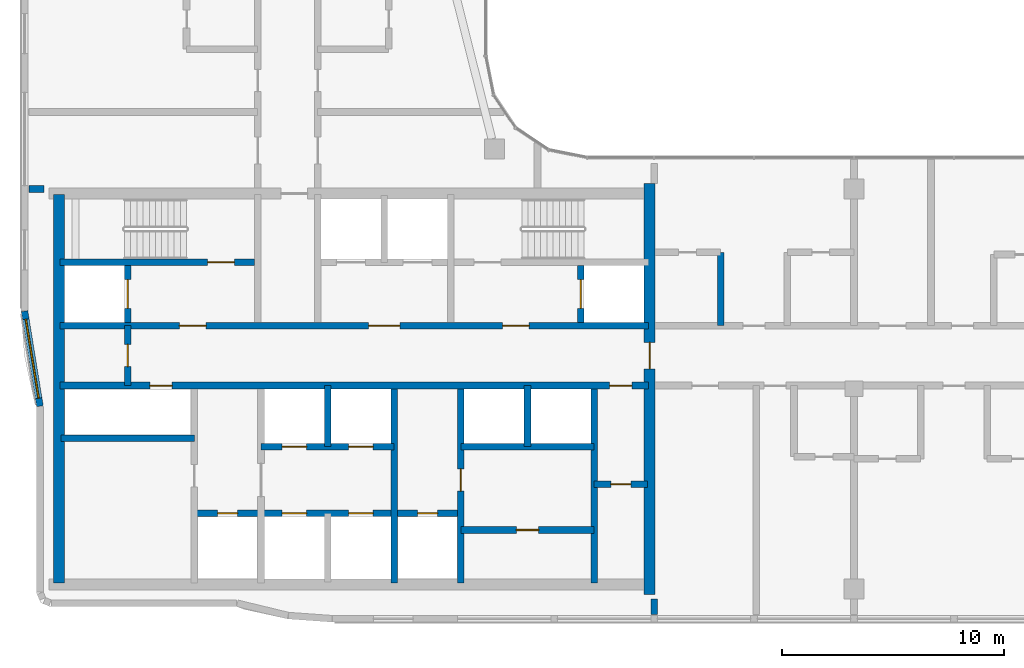
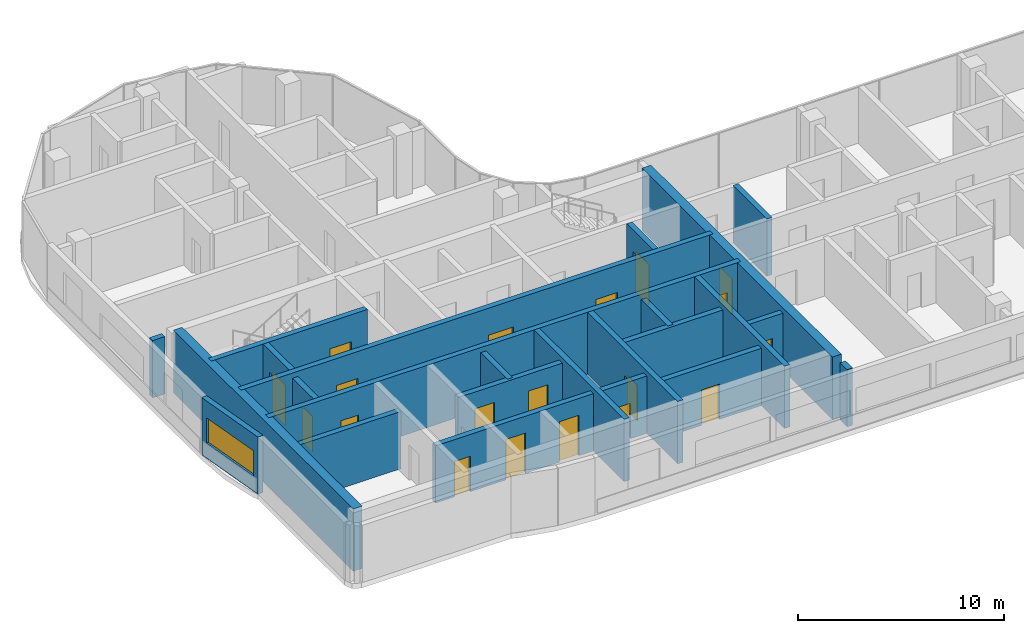
# One storey, part 9 of 19: 23 walls, 19 doors, 1 window, 20 openings.
"""IFC4 building model written with IfcOpenShell, lengths in metres."""

import ifcopenshell
import ifcopenshell.guid

model = None  # the IFC model being written
_history = None  # IfcOwnerHistory: only IFC2X3 demands one
_inside = {}  # id of a spatial element -> (the spatial element, [elements in it])
_under = {}  # id of a project, library or spatial element -> (it, [spatial elements below it])
_declared = {}  # id of a project -> (the project, [libraries it declares])
_typed = {}  # id of a type object -> (the type object, [elements of that type])
_made_of = {}  # id of a material, layer set ... -> (it, [elements and type objects made of it])


def new_model(schema):
    """Start an empty IFC model of exactly this schema.

    Asked for "IFC4X3", IfcOpenShell would pick the latest addendum, in which some entities
    have other attributes; the version numbers below select the first issue.
    IFC2X3 requires an IfcOwnerHistory on every rooted entity: one is made here for all.
    """
    global model, _history
    if schema == "IFC4X3":
        model = ifcopenshell.file(schema_version=(4, 3, 0, 0))
    else:
        model = ifcopenshell.file(schema=schema)
    _inside.clear()
    _under.clear()
    _declared.clear()
    _typed.clear()
    _made_of.clear()
    _history = None
    if model.schema == "IFC2X3":
        org = make("IfcOrganization", Name="unknown")
        user = make(
            "IfcPersonAndOrganization",
            ThePerson=make("IfcPerson", FamilyName="unknown"),
            TheOrganization=org,
        )
        app = make(
            "IfcApplication",
            ApplicationDeveloper=org,
            Version="unknown",
            ApplicationFullName="unknown",
            ApplicationIdentifier="unknown",
        )
        _history = make(
            "IfcOwnerHistory",
            OwningUser=user,
            OwningApplication=app,
            ChangeAction="ADDED",
            CreationDate=0,
        )
    return model


def make(cls, **values):
    """One entity of the class cls with the attributes given. An attribute that is None is left unset."""
    return model.create_entity(
        cls, **{name: value for name, value in values.items() if value is not None}
    )


def rooted(cls, **values):
    """An entity with a GlobalId (a new one), such as an element, a storey or a relation."""
    return make(cls, GlobalId=ifcopenshell.guid.new(), OwnerHistory=_history, **values)


def si_unit(unit_type, name, prefix=None):
    """IfcSIUnit, for example si_unit("LENGTHUNIT", "METRE", prefix="MILLI")."""
    return make("IfcSIUnit", UnitType=unit_type, Prefix=prefix, Name=name)


def assignment(units):
    """IfcUnitAssignment: the units of a project."""
    return None if units is None else make("IfcUnitAssignment", Units=units)


def point(xyz):
    """IfcCartesianPoint."""
    return None if xyz is None else make("IfcCartesianPoint", Coordinates=xyz)


def direction(xyz):
    """IfcDirection."""
    return None if xyz is None else make("IfcDirection", DirectionRatios=xyz)


def frame(location, z_axis=None, x_axis=None):
    """IfcAxis2Placement3D, a coordinate frame: its origin and axes. An axis left out is left unset."""
    return make(
        "IfcAxis2Placement3D",
        Location=point(location),
        Axis=direction(z_axis),
        RefDirection=direction(x_axis),
    )


def frame_2d(location, x_axis=None):
    """IfcAxis2Placement2D, a coordinate frame in the plane: its origin and x axis."""
    return make(
        "IfcAxis2Placement2D", Location=point(location), RefDirection=direction(x_axis)
    )


def origin():
    """The frame at (0, 0, 0) with its axes left unset."""
    return frame((0.0, 0.0, 0.0))


def place(relative_to, where):
    """IfcLocalPlacement: puts the frame where relative to a parent placement (None: the world)."""
    return make(
        "IfcLocalPlacement", PlacementRelTo=relative_to, RelativePlacement=where
    )


def context(
    kind, dimensions, precision=None, world=None, true_north=None, identifier=None
):
    """IfcGeometricRepresentationContext, for example the 3D "Model" context."""
    return make(
        "IfcGeometricRepresentationContext",
        ContextIdentifier=identifier,
        ContextType=kind,
        CoordinateSpaceDimension=dimensions,
        Precision=precision,
        WorldCoordinateSystem=world,
        TrueNorth=true_north,
    )


def subcontext(parent, identifier, kind, view, scale=None):
    """IfcGeometricRepresentationSubContext, for example "Body" below "Model"."""
    return make(
        "IfcGeometricRepresentationSubContext",
        ContextIdentifier=identifier,
        ContextType=kind,
        ParentContext=parent,
        TargetScale=scale,
        TargetView=view,
    )


def project(units=None, contexts=None):
    """IfcProject with its units and contexts."""
    return rooted(
        "IfcProject",
        Name="project",
        RepresentationContexts=contexts,
        UnitsInContext=assignment(units),
    )


def spatial(cls, under=None, at=None, **own):
    """A site, building, storey or space (cls), placed at a placement, below another one or the project."""
    s = rooted(cls, ObjectPlacement=at, **own)
    if under is not None:
        _under.setdefault(under.id(), (under, []))[1].append(s)
    return s


def profile(cls, at=None, kind="AREA", **sizes):
    """A parametric profile (cls). Its sizes go by their IFC names, for example OverallWidth=200.0."""
    return make(cls, ProfileType=kind, Position=at, **sizes)


def rectangle(**sizes):
    """IfcRectangleProfileDef."""
    return profile("IfcRectangleProfileDef", **sizes)


def extrude(swept, where, along, depth):
    """IfcExtrudedAreaSolid: the profile swept, set in the frame where, extruded along a direction by depth."""
    return make(
        "IfcExtrudedAreaSolid",
        SweptArea=swept,
        Position=where,
        ExtrudedDirection=direction(along),
        Depth=depth,
    )


def shape(context_of_items, identifier, shape_type, items):
    """IfcShapeRepresentation: the items that make up one representation, for example the "Body"."""
    return make(
        "IfcShapeRepresentation",
        ContextOfItems=context_of_items,
        RepresentationIdentifier=identifier,
        RepresentationType=shape_type,
        Items=items,
    )


def material(Name=None, Category=None):
    """IfcMaterial."""
    return make("IfcMaterial", Name=Name, Category=Category)


def layer(
    of_material, thickness, ventilated=None, Name=None, Category=None, Priority=None
):
    """IfcMaterialLayer: one layer of a wall or slab, of a material (None: an air gap)."""
    return make(
        "IfcMaterialLayer",
        Material=of_material,
        LayerThickness=thickness,
        IsVentilated=ventilated,
        Name=Name,
        Category=Category,
        Priority=Priority,
    )


def layer_set(layers, Name=None):
    """IfcMaterialLayerSet."""
    return make("IfcMaterialLayerSet", MaterialLayers=layers, LayerSetName=Name)


def made_of(thing, what):
    """Note that an element or type object is made of a material, layer set ...; save() writes the relation."""
    if what is not None:
        _made_of.setdefault(what.id(), (what, []))[1].append(thing)
    return thing


def type_object(cls, material=None, **own):
    """A type object (cls), such as IfcWallType, which elements share."""
    return made_of(rooted(cls, **own), material)


def element(
    cls,
    number,
    at=None,
    inside=None,
    cuts=None,
    type_object=None,
    material=None,
    context=None,
    identifier="Body",
    shape_type=None,
    held_by="IfcProductDefinitionShape",
    body=None,
    shapes=None,
    **own,
):
    """One element of the class cls, such as IfcWall. Its Tag is "e" and its number.

    at: its placement. inside: the storey or other place that contains it. cuts: it is an
    opening in that element (IfcRelVoidsElement). A single representation is given by context,
    identifier, shape_type and body (its items); several are given by shapes. held_by: the class
    of the entity that holds the representations. save() writes the other relations.
    """
    e = rooted(cls, Tag="e%d" % number, ObjectPlacement=at, **own)
    if body is not None:
        shapes = [shape(context, identifier, shape_type, body)]
    if shapes is not None:
        e.Representation = make(held_by, Representations=shapes)
    if inside is not None:
        _inside.setdefault(inside.id(), (inside, []))[1].append(e)
    if cuts is not None:
        rooted(
            "IfcRelVoidsElement", RelatingBuildingElement=cuts, RelatedOpeningElement=e
        )
    if type_object is not None:
        _typed.setdefault(type_object.id(), (type_object, []))[1].append(e)
    return made_of(e, material)


def fill(opening, filler):
    """IfcRelFillsElement: the door or window that sits in an opening."""
    return rooted(
        "IfcRelFillsElement",
        RelatingOpeningElement=opening,
        RelatedBuildingElement=filler,
    )


def aggregate(whole, parts):
    """IfcRelAggregates: a whole, such as a stair, and the parts it consists of."""
    return rooted("IfcRelAggregates", RelatingObject=whole, RelatedObjects=parts)


def save(model, path):
    """Write the relations noted so far, then the file.

    IfcRelAggregates (storeys below a building ...), IfcRelContainedInSpatialStructure (elements
    in a storey), IfcRelDefinesByType, IfcRelAssociatesMaterial and IfcRelDeclares: one each for
    every whole, place, type object, material and project.
    """
    for whole, parts in _under.values():
        aggregate(whole, parts)
    for where, things in _inside.values():
        rooted(
            "IfcRelContainedInSpatialStructure",
            RelatedElements=things,
            RelatingStructure=where,
        )
    for kind, things in _typed.values():
        rooted("IfcRelDefinesByType", RelatedObjects=things, RelatingType=kind)
    for what, things in _made_of.values():
        rooted("IfcRelAssociatesMaterial", RelatedObjects=things, RelatingMaterial=what)
    for by, libraries in _declared.values():
        rooted("IfcRelDeclares", RelatingContext=by, RelatedDefinitions=libraries)
    model.write(path)


model = new_model("IFC4")

# Units and contexts
model_context = context("Model", 3, precision=1e-05, world=origin(), true_north=direction((0.0, 1.0)))
body_context = subcontext(model_context, "Body", "Model", "MODEL_VIEW")
ifc_project = project(units=[si_unit("LENGTHUNIT", "METRE"), si_unit("AREAUNIT", "SQUARE_METRE"), si_unit("VOLUMEUNIT", "CUBIC_METRE"), si_unit("PLANEANGLEUNIT", "RADIAN"), si_unit("MASSUNIT", "GRAM", prefix="KILO")], contexts=[model_context])

# Site, building, storey
site_placement = place(None, origin())
site = spatial("IfcSite", under=ifc_project, at=site_placement, CompositionType="ELEMENT")
building_placement = place(site_placement, origin())
building = spatial("IfcBuilding", under=site, at=building_placement, Name="Ogive Portal Towers", CompositionType="ELEMENT")
storey_placement = place(building_placement, frame((0.0, 0.0, 229.10009765625)))
storey = spatial("IfcBuildingStorey", under=building, at=storey_placement, Name="L57", CompositionType="ELEMENT", Elevation=229.10009765625)

# Wall
ifc_material_1 = material(Name="Concrete C60/75", Category="concrete")
ifc_layer_1 = layer(ifc_material_1, 0.300048828125)
ifc_layer_set_1 = layer_set([ifc_layer_1], Name="CORE WALL 300 C60")
wall_type_1 = type_object("IfcWallType", Name="CORE WALL 300 C60", PredefinedType="SHEAR", material=ifc_layer_set_1)
wall_1_placement = place(storey_placement, frame((46.800048828125, 21.75, 0.0), z_axis=(0.0, 0.0, 1.0), x_axis=(0.0, 1.0, 0.0)))
element("IfcWall", 1, at=wall_1_placement, inside=storey, type_object=wall_type_1, Name="Core wall X3 L57", PredefinedType="SHEAR", context=body_context, shape_type="SweptSolid", body=[
    extrude(rectangle(XDim=8.75, YDim=0.300048828125, at=frame_2d((4.375, 0.0))), origin(), (0.0, 0.0, 1.0), 3.699951171875),
])

# Wall, opening, door
wall_2_placement = place(storey_placement, frame((49.800048828125, 21.75, 0.0), z_axis=(0.0, 0.0, 1.0), x_axis=(0.0, 1.0, 0.0)))
wall_2 = element("IfcWall", 2, at=wall_2_placement, inside=storey, type_object=wall_type_1, Name="Core wall X4 L57", PredefinedType="SHEAR", context=body_context, shape_type="SweptSolid", body=[
    extrude(rectangle(XDim=8.75, YDim=0.300048828125, at=frame_2d((4.375, 0.0))), origin(), (0.0, 0.0, 1.0), 3.699951171875),
])
opening_1_placement = place(wall_2_placement, frame((4.14990234375, 0.0, 0.0)))
opening_1 = element("IfcOpeningElement", 3, at=opening_1_placement, cuts=wall_2, Name="Opening D25-023", PredefinedType="OPENING", context=body_context, shape_type="SweptSolid", body=[
    extrude(rectangle(XDim=1.0, YDim=2.10009765625, at=frame_2d((0.5, 1.050048828125))), frame((0.0, 0.16015625, 0.0), z_axis=(0.0, -1.0, 0.0), x_axis=(1.0, 0.0, 0.0)), (0.0, 0.0, 1.0), 0.320068359375),
])
ifc_material_2 = material(Name="Steel fire door", Category="steel")
door_type_1 = type_object("IfcDoorType", Name="DT-SWING-1000x2100-FD90S", OperationType="SINGLE_SWING_LEFT", PredefinedType="DOOR", material=ifc_material_2)
door_1_placement = place(opening_1_placement, origin())
door_1 = element("IfcDoor", 4, at=door_1_placement, inside=storey, type_object=door_type_1, Name="Door D25-023", OperationType="SINGLE_SWING_LEFT", OverallHeight=2.10009765625, OverallWidth=1.0, PredefinedType="DOOR", context=body_context, shape_type="SweptSolid", body=[
    extrude(rectangle(XDim=1.0, YDim=2.10009765625, at=frame_2d((0.5, 1.050048828125))), frame((0.0, 0.02490234375, 0.0), z_axis=(0.0, -1.0, 0.0), x_axis=(1.0, 0.0, 0.0)), (0.0, 0.0, 1.0), 0.050048828125),
])
fill(opening_1, door_1)

# Wall
wall_3_placement = place(storey_placement, frame((55.800048828125, 21.75, 0.0), z_axis=(0.0, 0.0, 1.0), x_axis=(0.0, 1.0, 0.0)))
element("IfcWall", 5, at=wall_3_placement, inside=storey, type_object=wall_type_1, Name="Core wall X5 L57", PredefinedType="SHEAR", context=body_context, shape_type="SweptSolid", body=[
    extrude(rectangle(XDim=8.75, YDim=0.300048828125, at=frame_2d((4.375, 0.0))), origin(), (0.0, 0.0, 1.0), 3.699951171875),
])

# Wall, openings, doors
wall_4_placement = place(storey_placement, frame((31.75, 30.64990234375, 0.0), z_axis=(0.0, 0.0, 1.0), x_axis=(1.0, 0.0, 0.0)))
wall_4 = element("IfcWall", 6, at=wall_4_placement, inside=storey, type_object=wall_type_1, Name="Core wall Y1 L57", PredefinedType="SHEAR", context=body_context, shape_type="SweptSolid", body=[
    extrude(rectangle(XDim=26.5, YDim=0.300048828125, at=frame_2d((13.25, 0.0))), origin(), (0.0, 0.0, 1.0), 3.699951171875),
])
opening_2_placement = place(wall_4_placement, frame((24.75, 0.0, 0.0)))
opening_2 = element("IfcOpeningElement", 7, at=opening_2_placement, cuts=wall_4, Name="Opening D25-009", PredefinedType="OPENING", context=body_context, shape_type="SweptSolid", body=[
    extrude(rectangle(XDim=1.0, YDim=2.10009765625, at=frame_2d((0.5, 1.050048828125))), frame((0.0, 0.16015625, 0.0), z_axis=(0.0, -1.0, 0.0), x_axis=(1.0, 0.0, 0.0)), (0.0, 0.0, 1.0), 0.320068359375),
])
opening_3_placement = place(wall_4_placement, frame((4.050048828125, 0.0, 0.0)))
opening_3 = element("IfcOpeningElement", 8, at=opening_3_placement, cuts=wall_4, Name="Opening D25-021", PredefinedType="OPENING", context=body_context, shape_type="SweptSolid", body=[
    extrude(rectangle(XDim=1.0, YDim=2.10009765625, at=frame_2d((0.5, 1.050048828125))), frame((0.0, 0.16015625, 0.0), z_axis=(0.0, -1.0, 0.0), x_axis=(1.0, 0.0, 0.0)), (0.0, 0.0, 1.0), 0.320068359375),
])
door_2_placement = place(opening_2_placement, origin())
door_2 = element("IfcDoor", 9, at=door_2_placement, inside=storey, type_object=door_type_1, Name="Door D25-009", OperationType="SINGLE_SWING_LEFT", OverallHeight=2.10009765625, OverallWidth=1.0, PredefinedType="DOOR", context=body_context, shape_type="SweptSolid", body=[
    extrude(rectangle(XDim=1.0, YDim=2.10009765625, at=frame_2d((0.5, 1.050048828125))), frame((0.0, 0.02490234375, 0.0), z_axis=(0.0, -1.0, 0.0), x_axis=(1.0, 0.0, 0.0)), (0.0, 0.0, 1.0), 0.050048828125),
])
fill(opening_2, door_2)
door_3_placement = place(opening_3_placement, origin())
door_3 = element("IfcDoor", 10, at=door_3_placement, inside=storey, type_object=door_type_1, Name="Riser access door D25-021", OperationType="SINGLE_SWING_LEFT", OverallHeight=2.10009765625, OverallWidth=1.0, PredefinedType="DOOR", context=body_context, shape_type="SweptSolid", body=[
    extrude(rectangle(XDim=1.0, YDim=2.10009765625, at=frame_2d((0.5, 1.050048828125))), frame((0.0, 0.02490234375, 0.0), z_axis=(0.0, -1.0, 0.0), x_axis=(1.0, 0.0, 0.0)), (0.0, 0.0, 1.0), 0.050048828125),
])
fill(opening_3, door_3)

wall_5_placement = place(storey_placement, frame((31.75, 33.35009765625, 0.0), z_axis=(0.0, 0.0, 1.0), x_axis=(1.0, 0.0, 0.0)))
wall_5 = element("IfcWall", 11, at=wall_5_placement, inside=storey, type_object=wall_type_1, Name="Core wall Y2 L57", PredefinedType="SHEAR", context=body_context, shape_type="SweptSolid", body=[
    extrude(rectangle(XDim=26.5, YDim=0.300048828125, at=frame_2d((13.25, 0.0))), origin(), (0.0, 0.0, 1.0), 3.699951171875),
])
opening_4_placement = place(wall_5_placement, frame((13.89990234375, 0.0, 0.0)))
opening_4 = element("IfcOpeningElement", 12, at=opening_4_placement, cuts=wall_5, Name="Opening D25-002", PredefinedType="OPENING", context=body_context, shape_type="SweptSolid", body=[
    extrude(rectangle(XDim=1.39990234375, YDim=2.10009765625, at=frame_2d((0.699951171875, 1.050048828125))), frame((0.0, 0.16015625, 0.0), z_axis=(0.0, -1.0, 0.0), x_axis=(1.0, 0.0, 0.0)), (0.0, 0.0, 1.0), 0.320068359375),
])
opening_5_placement = place(wall_5_placement, frame((5.375, 0.0, 0.0)))
opening_5 = element("IfcOpeningElement", 13, at=opening_5_placement, cuts=wall_5, Name="Opening D25-003", PredefinedType="OPENING", context=body_context, shape_type="SweptSolid", body=[
    extrude(rectangle(XDim=1.199951171875, YDim=2.10009765625, at=frame_2d((0.60009765625, 1.050048828125))), frame((0.0, 0.16015625, 0.0), z_axis=(0.0, -1.0, 0.0), x_axis=(1.0, 0.0, 0.0)), (0.0, 0.0, 1.0), 0.320068359375),
])
opening_6_placement = place(wall_5_placement, frame((19.925048828125, 0.0, 0.0)))
opening_6 = element("IfcOpeningElement", 14, at=opening_6_placement, cuts=wall_5, Name="Opening D25-004", PredefinedType="OPENING", context=body_context, shape_type="SweptSolid", body=[
    extrude(rectangle(XDim=1.199951171875, YDim=2.10009765625, at=frame_2d((0.60009765625, 1.050048828125))), frame((0.0, 0.16015625, 0.0), z_axis=(0.0, -1.0, 0.0), x_axis=(1.0, 0.0, 0.0)), (0.0, 0.0, 1.0), 0.320068359375),
])
door_type_2 = type_object("IfcDoorType", Name="DT-SWING-1200x2100-FD90S", OperationType="SINGLE_SWING_LEFT", PredefinedType="DOOR", material=ifc_material_2)
door_4_placement = place(opening_5_placement, origin())
door_4 = element("IfcDoor", 15, at=door_4_placement, inside=storey, type_object=door_type_2, Name="Door D25-003", OperationType="SINGLE_SWING_LEFT", OverallHeight=2.10009765625, OverallWidth=1.199951171875, PredefinedType="DOOR", context=body_context, shape_type="SweptSolid", body=[
    extrude(rectangle(XDim=1.199951171875, YDim=2.10009765625, at=frame_2d((0.60009765625, 1.050048828125))), frame((0.0, 0.02490234375, 0.0), z_axis=(0.0, -1.0, 0.0), x_axis=(1.0, 0.0, 0.0)), (0.0, 0.0, 1.0), 0.050048828125),
])
fill(opening_5, door_4)
door_5_placement = place(opening_6_placement, origin())
door_5 = element("IfcDoor", 16, at=door_5_placement, inside=storey, type_object=door_type_2, Name="Door D25-004", OperationType="SINGLE_SWING_RIGHT", OverallHeight=2.10009765625, OverallWidth=1.199951171875, PredefinedType="DOOR", context=body_context, shape_type="SweptSolid", body=[
    extrude(rectangle(XDim=1.199951171875, YDim=2.10009765625, at=frame_2d((0.60009765625, 1.050048828125))), frame((0.0, 0.02490234375, 0.0), z_axis=(0.0, -1.0, 0.0), x_axis=(1.0, 0.0, 0.0)), (0.0, 0.0, 1.0), 0.050048828125),
])
fill(opening_6, door_5)
door_type_3 = type_object("IfcDoorType", Name="DT-SWING-1400x2100-FD90S", OperationType="SINGLE_SWING_LEFT", PredefinedType="DOOR", material=ifc_material_2)
door_6_placement = place(opening_4_placement, origin())
door_6 = element("IfcDoor", 17, at=door_6_placement, inside=storey, type_object=door_type_3, Name="Door D25-002", OperationType="SINGLE_SWING_RIGHT", OverallHeight=2.10009765625, OverallWidth=1.39990234375, PredefinedType="DOOR", context=body_context, shape_type="SweptSolid", body=[
    extrude(rectangle(XDim=1.39990234375, YDim=2.10009765625, at=frame_2d((0.699951171875, 1.050048828125))), frame((0.0, 0.02490234375, 0.0), z_axis=(0.0, -1.0, 0.0), x_axis=(1.0, 0.0, 0.0)), (0.0, 0.0, 1.0), 0.050048828125),
])
fill(opening_4, door_6)

# Wall, opening, door
wall_6_placement = place(storey_placement, frame((31.75, 36.199951171875, 0.0), z_axis=(0.0, 0.0, 1.0), x_axis=(1.0, 0.0, 0.0)))
wall_6 = element("IfcWall", 18, at=wall_6_placement, inside=storey, type_object=wall_type_1, Name="Core wall Y3a L57", PredefinedType="SHEAR", context=body_context, shape_type="SweptSolid", body=[
    extrude(rectangle(XDim=8.75, YDim=0.300048828125, at=frame_2d((4.375, 0.0))), origin(), (0.0, 0.0, 1.0), 3.699951171875),
])
opening_7_placement = place(wall_6_placement, frame((6.64990234375, 0.0, 0.0)))
opening_7 = element("IfcOpeningElement", 19, at=opening_7_placement, cuts=wall_6, Name="Opening D25-005", PredefinedType="OPENING", context=body_context, shape_type="SweptSolid", body=[
    extrude(rectangle(XDim=1.199951171875, YDim=2.10009765625, at=frame_2d((0.60009765625, 1.050048828125))), frame((0.0, 0.16015625, 0.0), z_axis=(0.0, -1.0, 0.0), x_axis=(1.0, 0.0, 0.0)), (0.0, 0.0, 1.0), 0.320068359375),
])
door_7_placement = place(opening_7_placement, origin())
door_7 = element("IfcDoor", 20, at=door_7_placement, inside=storey, type_object=door_type_2, Name="Door D25-005", OperationType="SINGLE_SWING_RIGHT", OverallHeight=2.10009765625, OverallWidth=1.199951171875, PredefinedType="DOOR", context=body_context, shape_type="SweptSolid", body=[
    extrude(rectangle(XDim=1.199951171875, YDim=2.10009765625, at=frame_2d((0.60009765625, 1.050048828125))), frame((0.0, 0.02490234375, 0.0), z_axis=(0.0, -1.0, 0.0), x_axis=(1.0, 0.0, 0.0)), (0.0, 0.0, 1.0), 0.050048828125),
])
fill(opening_7, door_7)

wall_7_placement = place(storey_placement, frame((34.800048828125, 33.5, 0.0), z_axis=(0.0, 0.0, 1.0), x_axis=(0.0, 1.0, 0.0)))
wall_7 = element("IfcWall", 21, at=wall_7_placement, inside=storey, type_object=wall_type_1, Name="Core wall X8 L57", PredefinedType="SHEAR", context=body_context, shape_type="SweptSolid", body=[
    extrude(rectangle(XDim=2.550048828125, YDim=0.300048828125, at=frame_2d((1.27490234375, 0.0))), origin(), (0.0, 0.0, 1.0), 3.699951171875),
])
opening_8_placement = place(wall_7_placement, frame((0.625, 0.0, 0.0)))
opening_8 = element("IfcOpeningElement", 22, at=opening_8_placement, cuts=wall_7, Name="Opening D25-019", PredefinedType="OPENING", context=body_context, shape_type="SweptSolid", body=[
    extrude(rectangle(XDim=1.300048828125, YDim=2.39990234375, at=frame_2d((0.64990234375, 1.199951171875))), frame((0.0, 0.16015625, 0.0), z_axis=(0.0, -1.0, 0.0), x_axis=(1.0, 0.0, 0.0)), (0.0, 0.0, 1.0), 0.320068359375),
])
ifc_material_3 = material(Name="Stainless steel", Category="steel")
door_type_4 = type_object("IfcDoorType", Name="DT-LD-1300x2400", OperationType="SLIDING_TO_LEFT", PredefinedType="DOOR", material=ifc_material_3)
door_8_placement = place(opening_8_placement, origin())
door_8 = element("IfcDoor", 23, at=door_8_placement, inside=storey, type_object=door_type_4, Name="Door D25-019", OperationType="SLIDING_TO_LEFT", OverallHeight=2.39990234375, OverallWidth=1.300048828125, PredefinedType="DOOR", context=body_context, shape_type="SweptSolid", body=[
    extrude(rectangle(XDim=1.300048828125, YDim=2.39990234375, at=frame_2d((0.64990234375, 1.199951171875))), frame((0.0, 0.02490234375, 0.0), z_axis=(0.0, -1.0, 0.0), x_axis=(1.0, 0.0, 0.0)), (0.0, 0.0, 1.0), 0.050048828125),
])
fill(opening_8, door_8)

wall_8_placement = place(storey_placement, frame((55.199951171875, 33.5, 0.0), z_axis=(0.0, 0.0, 1.0), x_axis=(0.0, 1.0, 0.0)))
wall_8 = element("IfcWall", 24, at=wall_8_placement, inside=storey, type_object=wall_type_1, Name="Core wall X10 L57", PredefinedType="SHEAR", context=body_context, shape_type="SweptSolid", body=[
    extrude(rectangle(XDim=2.550048828125, YDim=0.300048828125, at=frame_2d((1.27490234375, 0.0))), origin(), (0.0, 0.0, 1.0), 3.699951171875),
])
opening_9_placement = place(wall_8_placement, frame((0.625, 0.0, 0.0)))
opening_9 = element("IfcOpeningElement", 25, at=opening_9_placement, cuts=wall_8, Name="Opening D25-020", PredefinedType="OPENING", context=body_context, shape_type="SweptSolid", body=[
    extrude(rectangle(XDim=1.300048828125, YDim=2.39990234375, at=frame_2d((0.64990234375, 1.199951171875))), frame((0.0, 0.16015625, 0.0), z_axis=(0.0, -1.0, 0.0), x_axis=(1.0, 0.0, 0.0)), (0.0, 0.0, 1.0), 0.320068359375),
])
door_9_placement = place(opening_9_placement, origin())
door_9 = element("IfcDoor", 26, at=door_9_placement, inside=storey, type_object=door_type_4, Name="Door D25-020", OperationType="SLIDING_TO_LEFT", OverallHeight=2.39990234375, OverallWidth=1.300048828125, PredefinedType="DOOR", context=body_context, shape_type="SweptSolid", body=[
    extrude(rectangle(XDim=1.300048828125, YDim=2.39990234375, at=frame_2d((0.64990234375, 1.199951171875))), frame((0.0, 0.02490234375, 0.0), z_axis=(0.0, -1.0, 0.0), x_axis=(1.0, 0.0, 0.0)), (0.0, 0.0, 1.0), 0.050048828125),
])
fill(opening_9, door_9)

# Wall
ifc_layer_2 = layer(ifc_material_1, 0.5)
ifc_layer_set_2 = layer_set([ifc_layer_2], Name="CORE WALL 500 C60")
wall_type_2 = type_object("IfcWallType", Name="CORE WALL 500 C60", PredefinedType="SHEAR", material=ifc_layer_set_2)
wall_9_placement = place(storey_placement, frame((31.699951171875, 21.75, 0.0), z_axis=(0.0, 0.0, 1.0), x_axis=(0.0, 1.0, 0.0)))
element("IfcWall", 27, at=wall_9_placement, inside=storey, type_object=wall_type_2, Name="Core wall W L57", PredefinedType="SHEAR", context=body_context, shape_type="SweptSolid", body=[
    extrude(rectangle(XDim=17.5, YDim=0.5, at=frame_2d((8.75, 0.0))), origin(), (0.0, 0.0, 1.0), 3.699951171875),
])

# Wall, opening, door
wall_10_placement = place(storey_placement, frame((58.300048828125, 21.25, 0.0), z_axis=(0.0, 0.0, 1.0), x_axis=(0.0, 1.0, 0.0)))
wall_10 = element("IfcWall", 28, at=wall_10_placement, inside=storey, type_object=wall_type_2, Name="Core wall E L57", PredefinedType="SHEAR", context=body_context, shape_type="SweptSolid", body=[
    extrude(rectangle(XDim=18.5, YDim=0.5, at=frame_2d((9.25, 0.0))), origin(), (0.0, 0.0, 1.0), 3.699951171875),
])
opening_10_placement = place(wall_10_placement, frame((10.14990234375, 0.0, 0.0)))
opening_10 = element("IfcOpeningElement", 29, at=opening_10_placement, cuts=wall_10, Name="Opening D25-011", PredefinedType="OPENING", context=body_context, shape_type="SweptSolid", body=[
    extrude(rectangle(XDim=1.199951171875, YDim=2.10009765625, at=frame_2d((0.60009765625, 1.050048828125))), frame((0.0, 0.260009765625, 0.0), z_axis=(0.0, -1.0, 0.0), x_axis=(1.0, 0.0, 0.0)), (0.0, 0.0, 1.0), 0.52001953125),
])
door_10_placement = place(opening_10_placement, origin())
door_10 = element("IfcDoor", 30, at=door_10_placement, inside=storey, type_object=door_type_2, Name="Door D25-011", OperationType="SINGLE_SWING_LEFT", OverallHeight=2.10009765625, OverallWidth=1.199951171875, PredefinedType="DOOR", context=body_context, shape_type="SweptSolid", body=[
    extrude(rectangle(XDim=1.199951171875, YDim=2.10009765625, at=frame_2d((0.60009765625, 1.050048828125))), frame((0.0, 0.02490234375, 0.0), z_axis=(0.0, -1.0, 0.0), x_axis=(1.0, 0.0, 0.0)), (0.0, 0.0, 1.0), 0.050048828125),
])
fill(opening_10, door_10)

# Wall, opening, window
ifc_material_4 = material(Name="Limestone cladding on lightweight block wall", Category="masonry")
ifc_layer_3 = layer(ifc_material_4, 0.300048828125)
ifc_layer_set_3 = layer_set([ifc_layer_3], Name="EXTERNAL WALL 300 STONE")
wall_type_3 = type_object("IfcWallType", Name="EXTERNAL WALL 300 STONE", PredefinedType="SOLIDWALL", material=ifc_layer_set_3)
wall_11_placement = place(storey_placement, frame((30.15185546875, 34.000244140625, 0.0), z_axis=(0.0, 0.0, 1.0), x_axis=(0.160697303067, -0.987003736967, 0.0)))
wall_11 = element("IfcWall", 31, at=wall_11_placement, inside=storey, type_object=wall_type_3, Name="A:L57:f25:r0:wall", PredefinedType="SOLIDWALL", context=body_context, shape_type="SweptSolid", body=[
    extrude(rectangle(XDim=4.3330078125, YDim=0.300048828125, at=frame_2d((2.16650390625, 0.0))), origin(), (0.0, 0.0, 1.0), 3.39990234375),
])
opening_11_placement = place(wall_11_placement, frame((0.366455078125, 0.0, 0.89990234375)))
opening_11 = element("IfcOpeningElement", 32, at=opening_11_placement, cuts=wall_11, Name="Opening WN12", PredefinedType="OPENING", context=body_context, shape_type="SweptSolid", body=[
    extrude(rectangle(XDim=3.60009765625, YDim=1.5, at=frame_2d((1.800048828125, 0.75))), frame((0.0, 0.16015625, 0.0), z_axis=(0.0, -1.0, 0.0), x_axis=(1.0, 0.0, 0.0)), (0.0, 0.0, 1.0), 0.320068359375),
])
ifc_material_5 = material(Name="Glass, clear low-iron insulated glazing", Category="glass")
window_type = type_object("IfcWindowType", Name="WINDOW RIBBON 3600x1500", PartitioningType="TRIPLE_PANEL_VERTICAL", PredefinedType="WINDOW", material=ifc_material_5)
window_placement = place(opening_11_placement, origin())
window = element("IfcWindow", 33, at=window_placement, inside=storey, type_object=window_type, Name="A:L57:f25:r0:w0", OverallHeight=1.5, OverallWidth=3.60009765625, PartitioningType="SINGLE_PANEL", PredefinedType="WINDOW", context=body_context, shape_type="SweptSolid", body=[
    extrude(rectangle(XDim=3.60009765625, YDim=1.5, at=frame_2d((1.800048828125, 0.75))), frame((0.0, 0.030029296875, 0.0), z_axis=(0.0, -1.0, 0.0), x_axis=(1.0, 0.0, 0.0)), (0.0, 0.0, 1.0), 0.06005859375),
])
fill(opening_11, window)

# Wall, opening, door
ifc_material_6 = material(Name="Gypsum board partition on steel studs", Category="steel")
ifc_layer_4 = layer(ifc_material_6, 0.300048828125)
ifc_layer_set_4 = layer_set([ifc_layer_4], Name="WT-PART-300")
wall_type_4 = type_object("IfcWallType", Name="WT-PART-300", PredefinedType="PARTITIONING", material=ifc_layer_set_4)
wall_12_placement = place(storey_placement, frame((49.800048828125, 24.14990234375, 0.0), z_axis=(0.0, 0.0, 1.0), x_axis=(1.0, 0.0, 0.0)))
wall_12 = element("IfcWall", 34, at=wall_12_placement, inside=storey, type_object=wall_type_4, Name="Wall pw:001:L57", PredefinedType="PARTITIONING", context=body_context, shape_type="SweptSolid", body=[
    extrude(rectangle(XDim=6.0, YDim=0.300048828125, at=frame_2d((3.0, 0.0))), origin(), (0.0, 0.0, 1.0), 3.39990234375),
])
opening_12_placement = place(wall_12_placement, frame((2.5, 0.0, 0.0)))
opening_12 = element("IfcOpeningElement", 35, at=opening_12_placement, cuts=wall_12, Name="Opening D25-024", PredefinedType="OPENING", context=body_context, shape_type="SweptSolid", body=[
    extrude(rectangle(XDim=1.0, YDim=2.10009765625, at=frame_2d((0.5, 1.050048828125))), frame((0.0, 0.16015625, 0.0), z_axis=(0.0, -1.0, 0.0), x_axis=(1.0, 0.0, 0.0)), (0.0, 0.0, 1.0), 0.320068359375),
])
door_type_5 = type_object("IfcDoorType", Name="DT-SWING-1000x2100-FD60S", OperationType="SINGLE_SWING_LEFT", PredefinedType="DOOR", material=ifc_material_2)
door_11_placement = place(opening_12_placement, origin())
door_11 = element("IfcDoor", 36, at=door_11_placement, inside=storey, type_object=door_type_5, Name="Door D25-024", OperationType="SINGLE_SWING_RIGHT", OverallHeight=2.10009765625, OverallWidth=1.0, PredefinedType="DOOR", context=body_context, shape_type="SweptSolid", body=[
    extrude(rectangle(XDim=1.0, YDim=2.10009765625, at=frame_2d((0.5, 1.050048828125))), frame((0.0, 0.02490234375, 0.0), z_axis=(0.0, -1.0, 0.0), x_axis=(1.0, 0.0, 0.0)), (0.0, 0.0, 1.0), 0.050048828125),
])
fill(opening_12, door_11)

wall_13_placement = place(storey_placement, frame((55.800048828125, 26.199951171875, 0.0), z_axis=(0.0, 0.0, 1.0), x_axis=(1.0, 0.0, 0.0)))
wall_13 = element("IfcWall", 37, at=wall_13_placement, inside=storey, type_object=wall_type_4, Name="Wall pw:003:L57", PredefinedType="PARTITIONING", context=body_context, shape_type="SweptSolid", body=[
    extrude(rectangle(XDim=2.39990234375, YDim=0.300048828125, at=frame_2d((1.199951171875, 0.0))), origin(), (0.0, 0.0, 1.0), 3.39990234375),
])
opening_13_placement = place(wall_13_placement, frame((0.75, 0.0, 0.0)))
opening_13 = element("IfcOpeningElement", 38, at=opening_13_placement, cuts=wall_13, Name="Opening D25-010", PredefinedType="OPENING", context=body_context, shape_type="SweptSolid", body=[
    extrude(rectangle(XDim=0.89990234375, YDim=2.10009765625, at=frame_2d((0.449951171875, 1.050048828125))), frame((0.0, 0.16015625, 0.0), z_axis=(0.0, -1.0, 0.0), x_axis=(1.0, 0.0, 0.0)), (0.0, 0.0, 1.0), 0.320068359375),
])
door_type_6 = type_object("IfcDoorType", Name="DT-SWING-900x2100-FD60S", OperationType="SINGLE_SWING_LEFT", PredefinedType="DOOR", material=ifc_material_2)
door_12_placement = place(opening_13_placement, origin())
door_12 = element("IfcDoor", 39, at=door_12_placement, inside=storey, type_object=door_type_6, Name="Door D25-010", OperationType="SINGLE_SWING_RIGHT", OverallHeight=2.10009765625, OverallWidth=0.89990234375, PredefinedType="DOOR", context=body_context, shape_type="SweptSolid", body=[
    extrude(rectangle(XDim=0.89990234375, YDim=2.10009765625, at=frame_2d((0.449951171875, 1.050048828125))), frame((0.0, 0.02490234375, 0.0), z_axis=(0.0, -1.0, 0.0), x_axis=(1.0, 0.0, 0.0)), (0.0, 0.0, 1.0), 0.050048828125),
])
fill(opening_13, door_12)

# Walls
wall_14_placement = place(storey_placement, frame((31.800048828125, 28.277099609375, 0.0), z_axis=(0.0, 0.0, 1.0), x_axis=(1.0, 0.0, 0.0)))
element("IfcWall", 40, at=wall_14_placement, inside=storey, type_object=wall_type_4, Name="Wall pw:006:L57", PredefinedType="PARTITIONING", context=body_context, shape_type="SweptSolid", body=[
    extrude(rectangle(XDim=6.0, YDim=0.300048828125, at=frame_2d((3.0, 0.0))), origin(), (0.0, 0.0, 1.0), 3.39990234375),
])
ifc_layer_5 = layer(ifc_material_6, 0.300048828125)
ifc_layer_set_5 = layer_set([ifc_layer_5], Name="WT-PART-300-EI 60")
wall_type_5 = type_object("IfcWallType", Name="WT-PART-300-EI 60", PredefinedType="PARTITIONING", material=ifc_layer_set_5)
for number, where, z_axis, x_axis, name in (
    (41, (30.35009765625, 39.5, 0.0), (0.0, 0.0, 1.0), (1.0, 0.0, 0.0), "Wall L57:w014"),
    (42, (58.5, 20.35009765625, 0.0), (0.0, 0.0, 1.0), (0.0, 1.0, 0.0), "Wall L57:w035"),
):
    element("IfcWall", number, at=place(storey_placement, frame(where, z_axis=z_axis, x_axis=x_axis)), inside=storey, type_object=wall_type_5, Name=name, PredefinedType="PARTITIONING", context=body_context, shape_type="SweptSolid", body=[
        extrude(rectangle(XDim=0.679931640625, YDim=0.300048828125, at=frame_2d((0.33984375, 0.0))), origin(), (0.0, 0.0, 1.0), 3.39990234375),
    ])
wall_15_placement = place(storey_placement, frame((61.5, 33.35009765625, 0.0), z_axis=(0.0, 0.0, 1.0), x_axis=(0.0, 1.0, 0.0)))
element("IfcWall", 43, at=wall_15_placement, inside=storey, type_object=wall_type_5, Name="Wall L57:w037", PredefinedType="PARTITIONING", context=body_context, shape_type="SweptSolid", body=[
    extrude(rectangle(XDim=3.2998046875, YDim=0.300048828125, at=frame_2d((1.64990234375, 0.0))), origin(), (0.0, 0.0, 1.0), 3.39990234375),
])

# Wall, openings, doors
ifc_material_7 = material(Name="Concrete C40/50", Category="concrete")
ifc_layer_6 = layer(ifc_material_7, 0.300048828125)
ifc_layer_set_6 = layer_set([ifc_layer_6], Name="WT-SHAFT-300")
wall_type_6 = type_object("IfcWallType", Name="WT-SHAFT-300", PredefinedType="SOLIDWALL", material=ifc_layer_set_6)
wall_16_placement = place(storey_placement, frame((37.800048828125, 24.89990234375, 0.0), z_axis=(0.0, 0.0, 1.0), x_axis=(1.0, 0.0, 0.0)))
wall_16 = element("IfcWall", 44, at=wall_16_placement, inside=storey, type_object=wall_type_6, Name="Wall pw:002:L57", PredefinedType="SOLIDWALL", context=body_context, shape_type="SweptSolid", body=[
    extrude(rectangle(XDim=12.0, YDim=0.300048828125, at=frame_2d((6.0, 0.0))), origin(), (0.0, 0.0, 1.0), 3.39990234375),
])
opening_14_placement = place(wall_16_placement, frame((1.050048828125, 0.0, 0.0)))
opening_14 = element("IfcOpeningElement", 45, at=opening_14_placement, cuts=wall_16, Name="Opening D25-007", PredefinedType="OPENING", context=body_context, shape_type="SweptSolid", body=[
    extrude(rectangle(XDim=0.89990234375, YDim=2.10009765625, at=frame_2d((0.449951171875, 1.050048828125))), frame((0.0, 0.16015625, 0.0), z_axis=(0.0, -1.0, 0.0), x_axis=(1.0, 0.0, 0.0)), (0.0, 0.0, 1.0), 0.320068359375),
])
opening_15_placement = place(wall_16_placement, frame((10.050048828125, 0.0, 0.0)))
opening_15 = element("IfcOpeningElement", 46, at=opening_15_placement, cuts=wall_16, Name="Opening D25-008", PredefinedType="OPENING", context=body_context, shape_type="SweptSolid", body=[
    extrude(rectangle(XDim=0.89990234375, YDim=2.10009765625, at=frame_2d((0.449951171875, 1.050048828125))), frame((0.0, 0.16015625, 0.0), z_axis=(0.0, -1.0, 0.0), x_axis=(1.0, 0.0, 0.0)), (0.0, 0.0, 1.0), 0.320068359375),
])
opening_16_placement = place(wall_16_placement, frame((3.949951171875, 0.0, 0.0)))
opening_16 = element("IfcOpeningElement", 47, at=opening_16_placement, cuts=wall_16, Name="Opening D25-013", PredefinedType="OPENING", context=body_context, shape_type="SweptSolid", body=[
    extrude(rectangle(XDim=1.10009765625, YDim=2.39990234375, at=frame_2d((0.550048828125, 1.199951171875))), frame((0.0, 0.16015625, 0.0), z_axis=(0.0, -1.0, 0.0), x_axis=(1.0, 0.0, 0.0)), (0.0, 0.0, 1.0), 0.320068359375),
])
opening_17_placement = place(wall_16_placement, frame((6.949951171875, 0.0, 0.0)))
opening_17 = element("IfcOpeningElement", 48, at=opening_17_placement, cuts=wall_16, Name="Opening D25-014", PredefinedType="OPENING", context=body_context, shape_type="SweptSolid", body=[
    extrude(rectangle(XDim=1.10009765625, YDim=2.39990234375, at=frame_2d((0.550048828125, 1.199951171875))), frame((0.0, 0.16015625, 0.0), z_axis=(0.0, -1.0, 0.0), x_axis=(1.0, 0.0, 0.0)), (0.0, 0.0, 1.0), 0.320068359375),
])
door_type_7 = type_object("IfcDoorType", Name="DT-LD-1100x2400", OperationType="SLIDING_TO_LEFT", PredefinedType="DOOR", material=ifc_material_3)
door_13_placement = place(opening_16_placement, origin())
door_13 = element("IfcDoor", 49, at=door_13_placement, inside=storey, type_object=door_type_7, Name="Door D25-013", OperationType="SLIDING_TO_LEFT", OverallHeight=2.39990234375, OverallWidth=1.10009765625, PredefinedType="DOOR", context=body_context, shape_type="SweptSolid", body=[
    extrude(rectangle(XDim=1.10009765625, YDim=2.39990234375, at=frame_2d((0.550048828125, 1.199951171875))), frame((0.0, 0.02490234375, 0.0), z_axis=(0.0, -1.0, 0.0), x_axis=(1.0, 0.0, 0.0)), (0.0, 0.0, 1.0), 0.050048828125),
])
fill(opening_16, door_13)
door_14_placement = place(opening_17_placement, origin())
door_14 = element("IfcDoor", 50, at=door_14_placement, inside=storey, type_object=door_type_7, Name="Door D25-014", OperationType="SLIDING_TO_LEFT", OverallHeight=2.39990234375, OverallWidth=1.10009765625, PredefinedType="DOOR", context=body_context, shape_type="SweptSolid", body=[
    extrude(rectangle(XDim=1.10009765625, YDim=2.39990234375, at=frame_2d((0.550048828125, 1.199951171875))), frame((0.0, 0.02490234375, 0.0), z_axis=(0.0, -1.0, 0.0), x_axis=(1.0, 0.0, 0.0)), (0.0, 0.0, 1.0), 0.050048828125),
])
fill(opening_17, door_14)
door_type_8 = type_object("IfcDoorType", Name="DT-SWING-900x2100-FD90S", OperationType="SINGLE_SWING_LEFT", PredefinedType="DOOR", material=ifc_material_2)
door_15_placement = place(opening_14_placement, origin())
door_15 = element("IfcDoor", 51, at=door_15_placement, inside=storey, type_object=door_type_8, Name="Riser access door D25-007", OperationType="SINGLE_SWING_LEFT", OverallHeight=2.10009765625, OverallWidth=0.89990234375, PredefinedType="DOOR", context=body_context, shape_type="SweptSolid", body=[
    extrude(rectangle(XDim=0.89990234375, YDim=2.10009765625, at=frame_2d((0.449951171875, 1.050048828125))), frame((0.0, 0.02490234375, 0.0), z_axis=(0.0, -1.0, 0.0), x_axis=(1.0, 0.0, 0.0)), (0.0, 0.0, 1.0), 0.050048828125),
])
fill(opening_14, door_15)
door_16_placement = place(opening_15_placement, origin())
door_16 = element("IfcDoor", 52, at=door_16_placement, inside=storey, type_object=door_type_8, Name="Riser access door D25-008", OperationType="SINGLE_SWING_RIGHT", OverallHeight=2.10009765625, OverallWidth=0.89990234375, PredefinedType="DOOR", context=body_context, shape_type="SweptSolid", body=[
    extrude(rectangle(XDim=0.89990234375, YDim=2.10009765625, at=frame_2d((0.449951171875, 1.050048828125))), frame((0.0, 0.02490234375, 0.0), z_axis=(0.0, -1.0, 0.0), x_axis=(1.0, 0.0, 0.0)), (0.0, 0.0, 1.0), 0.050048828125),
])
fill(opening_15, door_16)

wall_17_placement = place(storey_placement, frame((40.800048828125, 27.89990234375, 0.0), z_axis=(0.0, 0.0, 1.0), x_axis=(1.0, 0.0, 0.0)))
wall_17 = element("IfcWall", 53, at=wall_17_placement, inside=storey, type_object=wall_type_6, Name="Wall pw:004:L57", PredefinedType="SOLIDWALL", context=body_context, shape_type="SweptSolid", body=[
    extrude(rectangle(XDim=6.0, YDim=0.300048828125, at=frame_2d((3.0, 0.0))), origin(), (0.0, 0.0, 1.0), 3.39990234375),
])
opening_18_placement = place(wall_17_placement, frame((0.949951171875, 0.0, 0.0)))
opening_18 = element("IfcOpeningElement", 54, at=opening_18_placement, cuts=wall_17, Name="Opening D25-015", PredefinedType="OPENING", context=body_context, shape_type="SweptSolid", body=[
    extrude(rectangle(XDim=1.10009765625, YDim=2.39990234375, at=frame_2d((0.550048828125, 1.199951171875))), frame((0.0, 0.16015625, 0.0), z_axis=(0.0, -1.0, 0.0), x_axis=(1.0, 0.0, 0.0)), (0.0, 0.0, 1.0), 0.320068359375),
])
opening_19_placement = place(wall_17_placement, frame((3.949951171875, 0.0, 0.0)))
opening_19 = element("IfcOpeningElement", 55, at=opening_19_placement, cuts=wall_17, Name="Opening D25-016", PredefinedType="OPENING", context=body_context, shape_type="SweptSolid", body=[
    extrude(rectangle(XDim=1.10009765625, YDim=2.39990234375, at=frame_2d((0.550048828125, 1.199951171875))), frame((0.0, 0.16015625, 0.0), z_axis=(0.0, -1.0, 0.0), x_axis=(1.0, 0.0, 0.0)), (0.0, 0.0, 1.0), 0.320068359375),
])
door_17_placement = place(opening_18_placement, origin())
door_17 = element("IfcDoor", 56, at=door_17_placement, inside=storey, type_object=door_type_7, Name="Door D25-015", OperationType="SLIDING_TO_LEFT", OverallHeight=2.39990234375, OverallWidth=1.10009765625, PredefinedType="DOOR", context=body_context, shape_type="SweptSolid", body=[
    extrude(rectangle(XDim=1.10009765625, YDim=2.39990234375, at=frame_2d((0.550048828125, 1.199951171875))), frame((0.0, 0.02490234375, 0.0), z_axis=(0.0, -1.0, 0.0), x_axis=(1.0, 0.0, 0.0)), (0.0, 0.0, 1.0), 0.050048828125),
])
fill(opening_18, door_17)
door_18_placement = place(opening_19_placement, origin())
door_18 = element("IfcDoor", 57, at=door_18_placement, inside=storey, type_object=door_type_7, Name="Door D25-016", OperationType="SLIDING_TO_LEFT", OverallHeight=2.39990234375, OverallWidth=1.10009765625, PredefinedType="DOOR", context=body_context, shape_type="SweptSolid", body=[
    extrude(rectangle(XDim=1.10009765625, YDim=2.39990234375, at=frame_2d((0.550048828125, 1.199951171875))), frame((0.0, 0.02490234375, 0.0), z_axis=(0.0, -1.0, 0.0), x_axis=(1.0, 0.0, 0.0)), (0.0, 0.0, 1.0), 0.050048828125),
])
fill(opening_19, door_18)

# Wall
wall_18_placement = place(storey_placement, frame((49.800048828125, 27.89990234375, 0.0), z_axis=(0.0, 0.0, 1.0), x_axis=(1.0, 0.0, 0.0)))
element("IfcWall", 58, at=wall_18_placement, inside=storey, type_object=wall_type_6, Name="Wall pw:005:L57", PredefinedType="SOLIDWALL", context=body_context, shape_type="SweptSolid", body=[
    extrude(rectangle(XDim=6.0, YDim=0.300048828125, at=frame_2d((3.0, 0.0))), origin(), (0.0, 0.0, 1.0), 3.39990234375),
])

# Wall, opening, door
wall_19_placement = place(storey_placement, frame((34.800048828125, 30.64990234375, 0.0), z_axis=(0.0, 0.0, 1.0), x_axis=(0.0, 1.0, 0.0)))
wall_19 = element("IfcWall", 59, at=wall_19_placement, inside=storey, type_object=wall_type_6, Name="Wall pw:007:L57", PredefinedType="SOLIDWALL", context=body_context, shape_type="SweptSolid", body=[
    extrude(rectangle(XDim=2.7001953125, YDim=0.300048828125, at=frame_2d((1.35009765625, 0.0))), origin(), (0.0, 0.0, 1.0), 3.39990234375),
])
opening_20_placement = place(wall_19_placement, frame((0.85009765625, 0.0, 0.0)))
opening_20 = element("IfcOpeningElement", 60, at=opening_20_placement, cuts=wall_19, Name="Opening D25-025", PredefinedType="OPENING", context=body_context, shape_type="SweptSolid", body=[
    extrude(rectangle(XDim=1.0, YDim=2.10009765625, at=frame_2d((0.5, 1.050048828125))), frame((0.0, 0.16015625, 0.0), z_axis=(0.0, -1.0, 0.0), x_axis=(1.0, 0.0, 0.0)), (0.0, 0.0, 1.0), 0.320068359375),
])
door_19_placement = place(opening_20_placement, origin())
door_19 = element("IfcDoor", 61, at=door_19_placement, inside=storey, type_object=door_type_1, Name="Door D25-025", OperationType="SINGLE_SWING_LEFT", OverallHeight=2.10009765625, OverallWidth=1.0, PredefinedType="DOOR", context=body_context, shape_type="SweptSolid", body=[
    extrude(rectangle(XDim=1.0, YDim=2.10009765625, at=frame_2d((0.5, 1.050048828125))), frame((0.0, 0.02490234375, 0.0), z_axis=(0.0, -1.0, 0.0), x_axis=(1.0, 0.0, 0.0)), (0.0, 0.0, 1.0), 0.050048828125),
])
fill(opening_20, door_19)

# Walls
for number, where, z_axis, x_axis, name in (
    (62, (43.800048828125, 27.89990234375, 0.0), (0.0, 0.0, 1.0), (0.0, 1.0, 0.0), "Wall pw:009:L57"),
    (63, (52.800048828125, 27.89990234375, 0.0), (0.0, 0.0, 1.0), (0.0, 1.0, 0.0), "Wall pw:011:L57"),
):
    element("IfcWall", number, at=place(storey_placement, frame(where, z_axis=z_axis, x_axis=x_axis)), inside=storey, type_object=wall_type_6, Name=name, PredefinedType="SOLIDWALL", context=body_context, shape_type="SweptSolid", body=[
        extrude(rectangle(XDim=2.75, YDim=0.300048828125, at=frame_2d((1.375, 0.0))), origin(), (0.0, 0.0, 1.0), 3.39990234375),
    ])

save(model, "model.ifc")
